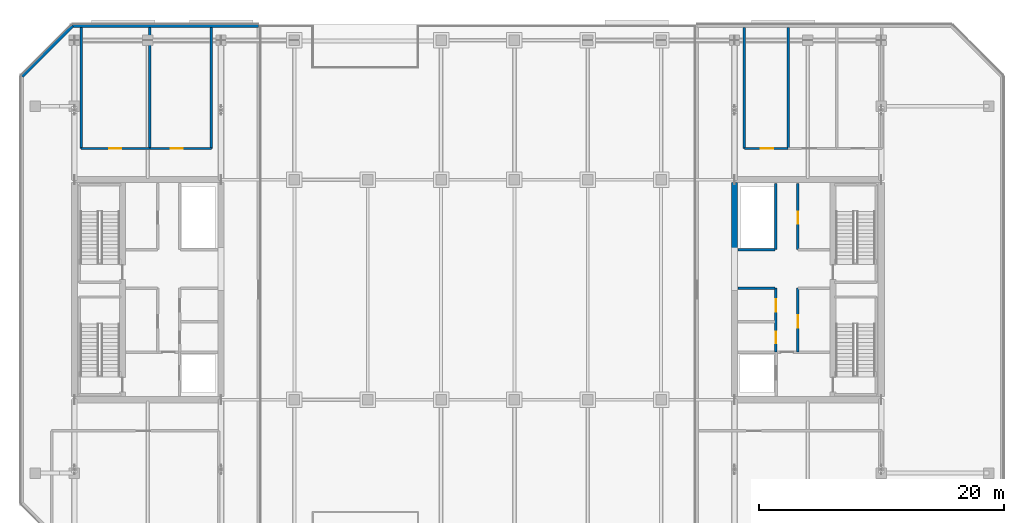
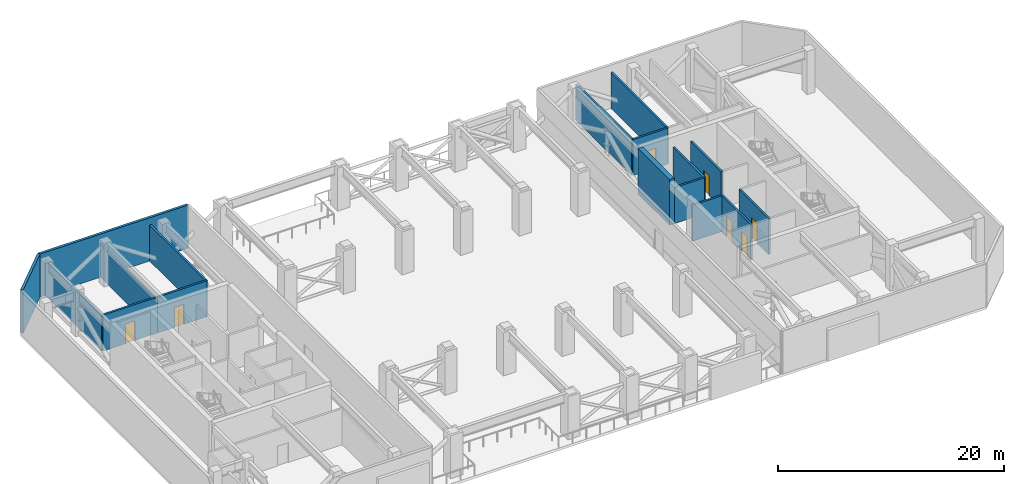
# One storey, part 12 of 18: 17 walls, 7 doors, 7 openings.
"""IFC4 building model written with IfcOpenShell, lengths in metres."""

from ifc_helpers import new_model, si_unit, direction, frame, frame_2d, origin, place, context, subcontext, project, spatial, rectangle, extrude, material, layer, layer_set, type_object, element, fill, save


model = new_model("IFC4")

# Units and contexts
model_context = context("Model", 3, precision=1e-05, world=origin(), true_north=direction((0.0, 1.0)))
body_context = subcontext(model_context, "Body", "Model", "MODEL_VIEW")
ifc_project = project(units=[si_unit("LENGTHUNIT", "METRE"), si_unit("AREAUNIT", "SQUARE_METRE"), si_unit("VOLUMEUNIT", "CUBIC_METRE"), si_unit("PLANEANGLEUNIT", "RADIAN"), si_unit("MASSUNIT", "GRAM", prefix="KILO")], contexts=[model_context])

# Site, building, storey
site_placement = place(None, origin())
site = spatial("IfcSite", under=ifc_project, at=site_placement, CompositionType="ELEMENT")
building_placement = place(site_placement, origin())
building = spatial("IfcBuilding", under=site, at=building_placement, Name="Tanjung Sevakor Pilgrim Tower", CompositionType="ELEMENT")
storey_placement = place(building_placement, frame((0.0, 0.0, 172.919921875)))
storey = spatial("IfcBuildingStorey", under=building, at=storey_placement, Name="L48", CompositionType="ELEMENT", Elevation=172.919921875)

# Walls
ifc_material_1 = material(Name="Concrete C60/75", Category="concrete")
ifc_layer_1 = layer(ifc_material_1, 0.5)
ifc_layer_set_1 = layer_set([ifc_layer_1], Name="WALL-CW-500")
wall_type_1 = type_object("IfcWallType", Name="WALL-CW-500", PredefinedType="SHEAR", material=ifc_layer_set_1)
wall_1_placement = place(storey_placement, frame((78.0, 36.800048828125, 0.0), z_axis=(0.0, 0.0, 1.0), x_axis=(0.0, 1.0, 0.0)))
element("IfcWall", 1, at=wall_1_placement, inside=storey, type_object=wall_type_1, Name="L48 E Core Inner Shear Wall North", PredefinedType="SHEAR", context=body_context, shape_type="SweptSolid", body=[
    extrude(rectangle(XDim=5.550048828125, YDim=0.5, at=frame_2d((2.77490234375, 0.0))), origin(), (0.0, 0.0, 1.0), 4.9501953125),
])
ifc_material_2 = material(Name="Precast concrete C45/55", Category="concrete")
ifc_layer_2 = layer(ifc_material_2, 0.25)
ifc_layer_set_2 = layer_set([ifc_layer_2], Name="WT-EW-STN3")
wall_type_2 = type_object("IfcWallType", Name="WT-EW-STN3", PredefinedType="SOLIDWALL", material=ifc_layer_set_2)
wall_2_placement = place(storey_placement, frame((39.074951171875, 55.175048828125, 0.0), z_axis=(0.0, 0.0, 1.0), x_axis=(-1.0, 0.0, 0.0)))
element("IfcWall", 2, at=wall_2_placement, inside=storey, type_object=wall_type_2, Name="L48 West Refuge Wing Wall 3", PredefinedType="SOLIDWALL", context=body_context, shape_type="SweptSolid", body=[
    extrude(rectangle(XDim=15.22314453125, YDim=0.25, at=frame_2d((7.611572265625, 0.0))), origin(), (0.0, 0.0, 1.0), 4.669921875),
])
wall_3_placement = place(storey_placement, frame((23.851806640625, 55.175048828125, 0.0), z_axis=(0.0, 0.0, 1.0), x_axis=(-0.70708586489, -0.707127696864, 0.0)))
element("IfcWall", 3, at=wall_3_placement, inside=storey, type_object=wall_type_2, Name="L48 West Refuge Wing Wall 4", PredefinedType="SOLIDWALL", context=body_context, shape_type="SweptSolid", body=[
    extrude(rectangle(XDim=5.836181640625, YDim=0.25, at=frame_2d((2.91796875, 0.0))), origin(), (0.0, 0.0, 1.0), 4.669921875),
])

# Wall, opening, door
ifc_material_3 = material(Name="Concrete C40/50", Category="concrete")
ifc_layer_3 = layer(ifc_material_3, 0.199951171875)
ifc_layer_set_3 = layer_set([ifc_layer_3], Name="WT-FPRT-200")
wall_type_3 = type_object("IfcWallType", Name="WT-FPRT-200", PredefinedType="SOLIDWALL", material=ifc_layer_set_3)
wall_4_placement = place(storey_placement, frame((83.179931640625, 28.5, 0.0), z_axis=(0.0, 0.0, 1.0), x_axis=(0.0, 1.0, 0.0)))
wall_4 = element("IfcWall", 4, at=wall_4_placement, inside=storey, type_object=wall_type_3, Name="L48 Partition IW-L48-015", PredefinedType="SOLIDWALL", context=body_context, shape_type="SweptSolid", body=[
    extrude(rectangle(XDim=5.219970703125, YDim=0.199951171875, at=frame_2d((2.60986328125, 0.0))), origin(), (0.0, 0.0, 1.0), 3.889892578125),
])
opening_1_placement = place(wall_4_placement, frame((2.0, 0.0, 0.0)))
opening_1 = element("IfcOpeningElement", 5, at=opening_1_placement, cuts=wall_4, Name="Opening ID-FD1", PredefinedType="OPENING", context=body_context, shape_type="SweptSolid", body=[
    extrude(rectangle(XDim=1.0, YDim=2.14990234375, at=frame_2d((0.5, 1.074951171875))), frame((0.0, 0.10986328125, 0.0), z_axis=(0.0, -1.0, 0.0), x_axis=(1.0, 0.0, 0.0)), (0.0, 0.0, 1.0), 0.219970703125),
])
ifc_material_4 = material(Name="Fire-Rated Steel S355J2", Category="steel")
door_type_1 = type_object("IfcDoorType", Name="DT-FIRE-1000", OperationType="NOTDEFINED", PredefinedType="DOOR", material=ifc_material_4)
door_1_placement = place(opening_1_placement, origin())
door_1 = element("IfcDoor", 6, at=door_1_placement, inside=storey, type_object=door_type_1, Name="L48 Core Plant Door", OperationType="SINGLE_SWING_RIGHT", OverallHeight=2.14990234375, OverallWidth=1.0, PredefinedType="DOOR", context=body_context, shape_type="SweptSolid", body=[
    extrude(rectangle(XDim=1.0, YDim=2.14990234375, at=frame_2d((0.5, 1.074951171875))), frame((0.0, 0.02490234375, 0.0), z_axis=(0.0, -1.0, 0.0), x_axis=(1.0, 0.0, 0.0)), (0.0, 0.0, 1.0), 0.050048828125),
])
fill(opening_1, door_1)

# Wall
wall_5_placement = place(storey_placement, frame((78.27001953125, 33.719970703125, 0.0), z_axis=(0.0, 0.0, 1.0), x_axis=(1.0, 0.0, 0.0)))
element("IfcWall", 7, at=wall_5_placement, inside=storey, type_object=wall_type_3, Name="L48 Partition IW-L48-017", PredefinedType="SOLIDWALL", context=body_context, shape_type="SweptSolid", body=[
    extrude(rectangle(XDim=3.050048828125, YDim=0.199951171875, at=frame_2d((1.52490234375, 0.0))), origin(), (0.0, 0.0, 1.0), 3.889892578125),
])

# Wall, openings, doors
wall_6_placement = place(storey_placement, frame((81.3798828125, 28.5, 0.0), z_axis=(0.0, 0.0, 1.0), x_axis=(0.0, 1.0, 0.0)))
wall_6 = element("IfcWall", 8, at=wall_6_placement, inside=storey, type_object=wall_type_3, Name="L48 Partition IW-L48-018", PredefinedType="SOLIDWALL", context=body_context, shape_type="SweptSolid", body=[
    extrude(rectangle(XDim=5.219970703125, YDim=0.199951171875, at=frame_2d((2.60986328125, 0.0))), origin(), (0.0, 0.0, 1.0), 3.889892578125),
])
opening_2_placement = place(wall_6_placement, frame((0.699951171875, 0.0, 0.0)))
opening_2 = element("IfcOpeningElement", 9, at=opening_2_placement, cuts=wall_6, Name="Opening ID-FD2", PredefinedType="OPENING", context=body_context, shape_type="SweptSolid", body=[
    extrude(rectangle(XDim=0.949951171875, YDim=2.14990234375, at=frame_2d((0.47509765625, 1.074951171875))), frame((0.0, 0.10986328125, 0.0), z_axis=(0.0, -1.0, 0.0), x_axis=(1.0, 0.0, 0.0)), (0.0, 0.0, 1.0), 0.219970703125),
])
opening_3_placement = place(wall_6_placement, frame((3.300048828125, 0.0, 0.0)))
opening_3 = element("IfcOpeningElement", 10, at=opening_3_placement, cuts=wall_6, Name="Opening ID-FD1", PredefinedType="OPENING", context=body_context, shape_type="SweptSolid", body=[
    extrude(rectangle(XDim=1.0, YDim=2.14990234375, at=frame_2d((0.5, 1.074951171875))), frame((0.0, 0.10986328125, 0.0), z_axis=(0.0, -1.0, 0.0), x_axis=(1.0, 0.0, 0.0)), (0.0, 0.0, 1.0), 0.219970703125),
])
door_2_placement = place(opening_3_placement, origin())
door_2 = element("IfcDoor", 11, at=door_2_placement, inside=storey, type_object=door_type_1, Name="L48 Core AHU Plant Door", OperationType="SINGLE_SWING_RIGHT", OverallHeight=2.14990234375, OverallWidth=1.0, PredefinedType="DOOR", context=body_context, shape_type="SweptSolid", body=[
    extrude(rectangle(XDim=1.0, YDim=2.14990234375, at=frame_2d((0.5, 1.074951171875))), frame((0.0, 0.02490234375, 0.0), z_axis=(0.0, -1.0, 0.0), x_axis=(1.0, 0.0, 0.0)), (0.0, 0.0, 1.0), 0.050048828125),
])
fill(opening_3, door_2)
ifc_material_5 = material(Name="Fire-Rated Timber", Category="wood")
door_type_2 = type_object("IfcDoorType", Name="DT-FIRE-950", OperationType="NOTDEFINED", PredefinedType="DOOR", material=ifc_material_5)
door_3_placement = place(opening_2_placement, origin())
door_3 = element("IfcDoor", 12, at=door_3_placement, inside=storey, type_object=door_type_2, Name="L48 Core Accessible WC Door", OperationType="SINGLE_SWING_LEFT", OverallHeight=2.14990234375, OverallWidth=0.949951171875, PredefinedType="DOOR", context=body_context, shape_type="SweptSolid", body=[
    extrude(rectangle(XDim=0.949951171875, YDim=2.14990234375, at=frame_2d((0.47509765625, 1.074951171875))), frame((0.0, 0.02490234375, 0.0), z_axis=(0.0, -1.0, 0.0), x_axis=(1.0, 0.0, 0.0)), (0.0, 0.0, 1.0), 0.050048828125),
])
fill(opening_2, door_3)

# Wall, opening, door
wall_7_placement = place(storey_placement, frame((83.179931640625, 36.8798828125, 0.0), z_axis=(0.0, 0.0, 1.0), x_axis=(0.0, 1.0, 0.0)))
wall_7 = element("IfcWall", 13, at=wall_7_placement, inside=storey, type_object=wall_type_3, Name="L48 Partition IW-L48-020", PredefinedType="SOLIDWALL", context=body_context, shape_type="SweptSolid", body=[
    extrude(rectangle(XDim=5.420166015625, YDim=0.199951171875, at=frame_2d((2.7099609375, 0.0))), origin(), (0.0, 0.0, 1.0), 3.889892578125),
])
opening_4_placement = place(wall_7_placement, frame((2.10009765625, 0.0, 0.0)))
opening_4 = element("IfcOpeningElement", 14, at=opening_4_placement, cuts=wall_7, Name="Opening ID-FD1", PredefinedType="OPENING", context=body_context, shape_type="SweptSolid", body=[
    extrude(rectangle(XDim=1.0, YDim=2.14990234375, at=frame_2d((0.5, 1.074951171875))), frame((0.0, 0.10986328125, 0.0), z_axis=(0.0, -1.0, 0.0), x_axis=(1.0, 0.0, 0.0)), (0.0, 0.0, 1.0), 0.219970703125),
])
door_4_placement = place(opening_4_placement, origin())
door_4 = element("IfcDoor", 15, at=door_4_placement, inside=storey, type_object=door_type_1, Name="L48 Core Switchroom Door", OperationType="SINGLE_SWING_LEFT", OverallHeight=2.14990234375, OverallWidth=1.0, PredefinedType="DOOR", context=body_context, shape_type="SweptSolid", body=[
    extrude(rectangle(XDim=1.0, YDim=2.14990234375, at=frame_2d((0.5, 1.074951171875))), frame((0.0, 0.02490234375, 0.0), z_axis=(0.0, -1.0, 0.0), x_axis=(1.0, 0.0, 0.0)), (0.0, 0.0, 1.0), 0.050048828125),
])
fill(opening_4, door_4)

# Walls
wall_8_placement = place(storey_placement, frame((78.27001953125, 36.8798828125, 0.0), z_axis=(0.0, 0.0, 1.0), x_axis=(1.0, 0.0, 0.0)))
element("IfcWall", 16, at=wall_8_placement, inside=storey, type_object=wall_type_3, Name="L48 Partition IW-L48-021", PredefinedType="SOLIDWALL", context=body_context, shape_type="SweptSolid", body=[
    extrude(rectangle(XDim=3.050048828125, YDim=0.199951171875, at=frame_2d((1.52490234375, 0.0))), origin(), (0.0, 0.0, 1.0), 3.889892578125),
])
wall_9_placement = place(storey_placement, frame((81.3798828125, 36.8798828125, 0.0), z_axis=(0.0, 0.0, 1.0), x_axis=(0.0, 1.0, 0.0)))
element("IfcWall", 17, at=wall_9_placement, inside=storey, type_object=wall_type_3, Name="L48 Partition IW-L48-022", PredefinedType="SOLIDWALL", context=body_context, shape_type="SweptSolid", body=[
    extrude(rectangle(XDim=5.420166015625, YDim=0.199951171875, at=frame_2d((2.7099609375, 0.0))), origin(), (0.0, 0.0, 1.0), 3.889892578125),
])

# Wall, opening, door
wall_10_placement = place(storey_placement, frame((24.550048828125, 45.14990234375, 0.0), z_axis=(0.0, 0.0, 1.0), x_axis=(1.0, 0.0, 0.0)))
wall_10 = element("IfcWall", 18, at=wall_10_placement, inside=storey, type_object=wall_type_3, Name="L48 Partition IW-L48-026", PredefinedType="SOLIDWALL", context=body_context, shape_type="SweptSolid", body=[
    extrude(rectangle(XDim=5.619873046875, YDim=0.199951171875, at=frame_2d((2.81005859375, 0.0))), origin(), (0.0, 0.0, 1.0), 3.889892578125),
])
opening_5_placement = place(wall_10_placement, frame((2.300048828125, 0.0, 0.0)))
opening_5 = element("IfcOpeningElement", 19, at=opening_5_placement, cuts=wall_10, Name="Opening ID-FD1", PredefinedType="OPENING", context=body_context, shape_type="SweptSolid", body=[
    extrude(rectangle(XDim=1.0, YDim=2.14990234375, at=frame_2d((0.5, 1.074951171875))), frame((0.0, 0.10986328125, 0.0), z_axis=(0.0, -1.0, 0.0), x_axis=(1.0, 0.0, 0.0)), (0.0, 0.0, 1.0), 0.219970703125),
])
door_5_placement = place(opening_5_placement, origin())
door_5 = element("IfcDoor", 20, at=door_5_placement, inside=storey, type_object=door_type_1, Name="L48 West Tank Plant Door", OperationType="SINGLE_SWING_LEFT", OverallHeight=2.14990234375, OverallWidth=1.0, PredefinedType="DOOR", context=body_context, shape_type="SweptSolid", body=[
    extrude(rectangle(XDim=1.0, YDim=2.14990234375, at=frame_2d((0.5, 1.074951171875))), frame((0.0, 0.02490234375, 0.0), z_axis=(0.0, -1.0, 0.0), x_axis=(1.0, 0.0, 0.0)), (0.0, 0.0, 1.0), 0.050048828125),
])
fill(opening_5, door_5)

# Walls
wall_11_placement = place(storey_placement, frame((24.550048828125, 45.14990234375, 0.0), z_axis=(0.0, 0.0, 1.0), x_axis=(0.0, 1.0, 0.0)))
element("IfcWall", 21, at=wall_11_placement, inside=storey, type_object=wall_type_3, Name="L48 Partition IW-L48-027", PredefinedType="SOLIDWALL", context=body_context, shape_type="SweptSolid", body=[
    extrude(rectangle(XDim=9.900146484375, YDim=0.199951171875, at=frame_2d((4.9501953125, 0.0))), origin(), (0.0, 0.0, 1.0), 3.889892578125),
])
wall_12_placement = place(storey_placement, frame((30.169921875, 45.14990234375, 0.0), z_axis=(0.0, 0.0, 1.0), x_axis=(0.0, 1.0, 0.0)))
element("IfcWall", 22, at=wall_12_placement, inside=storey, type_object=wall_type_3, Name="L48 Partition IW-L48-028", PredefinedType="SOLIDWALL", context=body_context, shape_type="SweptSolid", body=[
    extrude(rectangle(XDim=9.900146484375, YDim=0.199951171875, at=frame_2d((4.9501953125, 0.0))), origin(), (0.0, 0.0, 1.0), 3.64697265625),
])

# Wall, opening, door
wall_13_placement = place(storey_placement, frame((30.169921875, 45.14990234375, 0.0), z_axis=(0.0, 0.0, 1.0), x_axis=(1.0, 0.0, 0.0)))
wall_13 = element("IfcWall", 23, at=wall_13_placement, inside=storey, type_object=wall_type_3, Name="L48 Partition IW-L48-029", PredefinedType="SOLIDWALL", context=body_context, shape_type="SweptSolid", body=[
    extrude(rectangle(XDim=5.030029296875, YDim=0.199951171875, at=frame_2d((2.51513671875, 0.0))), origin(), (0.0, 0.0, 1.0), 3.889892578125),
])
opening_6_placement = place(wall_13_placement, frame((1.699951171875, 0.0, 0.0)))
opening_6 = element("IfcOpeningElement", 24, at=opening_6_placement, cuts=wall_13, Name="Opening ID-FD1", PredefinedType="OPENING", context=body_context, shape_type="SweptSolid", body=[
    extrude(rectangle(XDim=1.0, YDim=2.14990234375, at=frame_2d((0.5, 1.074951171875))), frame((0.0, 0.10986328125, 0.0), z_axis=(0.0, -1.0, 0.0), x_axis=(1.0, 0.0, 0.0)), (0.0, 0.0, 1.0), 0.219970703125),
])
door_6_placement = place(opening_6_placement, origin())
door_6 = element("IfcDoor", 25, at=door_6_placement, inside=storey, type_object=door_type_1, Name="L48 West AHU Plant Door", OperationType="SINGLE_SWING_RIGHT", OverallHeight=2.14990234375, OverallWidth=1.0, PredefinedType="DOOR", context=body_context, shape_type="SweptSolid", body=[
    extrude(rectangle(XDim=1.0, YDim=2.14990234375, at=frame_2d((0.5, 1.074951171875))), frame((0.0, 0.02490234375, 0.0), z_axis=(0.0, -1.0, 0.0), x_axis=(1.0, 0.0, 0.0)), (0.0, 0.0, 1.0), 0.050048828125),
])
fill(opening_6, door_6)

# Wall
wall_14_placement = place(storey_placement, frame((35.199951171875, 45.14990234375, 0.0), z_axis=(0.0, 0.0, 1.0), x_axis=(0.0, 1.0, 0.0)))
element("IfcWall", 26, at=wall_14_placement, inside=storey, type_object=wall_type_3, Name="L48 Partition IW-L48-030", PredefinedType="SOLIDWALL", context=body_context, shape_type="SweptSolid", body=[
    extrude(rectangle(XDim=9.900146484375, YDim=0.199951171875, at=frame_2d((4.9501953125, 0.0))), origin(), (0.0, 0.0, 1.0), 3.889892578125),
])

# Wall, opening, door
wall_15_placement = place(storey_placement, frame((78.800048828125, 45.14990234375, 0.0), z_axis=(0.0, 0.0, 1.0), x_axis=(1.0, 0.0, 0.0)))
wall_15 = element("IfcWall", 27, at=wall_15_placement, inside=storey, type_object=wall_type_3, Name="L48 Partition IW-L48-033", PredefinedType="SOLIDWALL", context=body_context, shape_type="SweptSolid", body=[
    extrude(rectangle(XDim=3.58984375, YDim=0.199951171875, at=frame_2d((1.794921875, 0.0))), origin(), (0.0, 0.0, 1.0), 3.889892578125),
])
opening_7_placement = place(wall_15_placement, frame((1.35009765625, 0.0, 0.0)))
opening_7 = element("IfcOpeningElement", 28, at=opening_7_placement, cuts=wall_15, Name="Opening ID-FD1", PredefinedType="OPENING", context=body_context, shape_type="SweptSolid", body=[
    extrude(rectangle(XDim=1.0, YDim=2.14990234375, at=frame_2d((0.5, 1.074951171875))), frame((0.0, 0.10986328125, 0.0), z_axis=(0.0, -1.0, 0.0), x_axis=(1.0, 0.0, 0.0)), (0.0, 0.0, 1.0), 0.219970703125),
])
door_7_placement = place(opening_7_placement, origin())
door_7 = element("IfcDoor", 29, at=door_7_placement, inside=storey, type_object=door_type_1, Name="L48 Booster Pump Door", OperationType="SINGLE_SWING_RIGHT", OverallHeight=2.14990234375, OverallWidth=1.0, PredefinedType="DOOR", context=body_context, shape_type="SweptSolid", body=[
    extrude(rectangle(XDim=1.0, YDim=2.14990234375, at=frame_2d((0.5, 1.074951171875))), frame((0.0, 0.02490234375, 0.0), z_axis=(0.0, -1.0, 0.0), x_axis=(1.0, 0.0, 0.0)), (0.0, 0.0, 1.0), 0.050048828125),
])
fill(opening_7, door_7)

# Walls
for number, where, z_axis, x_axis, name in (
    (30, (78.800048828125, 45.14990234375, 0.0), (0.0, 0.0, 1.0), (0.0, 1.0, 0.0), "L48 Partition IW-L48-034"),
    (31, (82.389892578125, 45.14990234375, 0.0), (0.0, 0.0, 1.0), (0.0, 1.0, 0.0), "L48 Partition IW-L48-035"),
):
    element("IfcWall", number, at=place(storey_placement, frame(where, z_axis=z_axis, x_axis=x_axis)), inside=storey, type_object=wall_type_3, Name=name, PredefinedType="SOLIDWALL", context=body_context, shape_type="SweptSolid", body=[
        extrude(rectangle(XDim=9.900146484375, YDim=0.199951171875, at=frame_2d((4.9501953125, 0.0))), origin(), (0.0, 0.0, 1.0), 3.889892578125),
    ])

save(model, "model.ifc")
